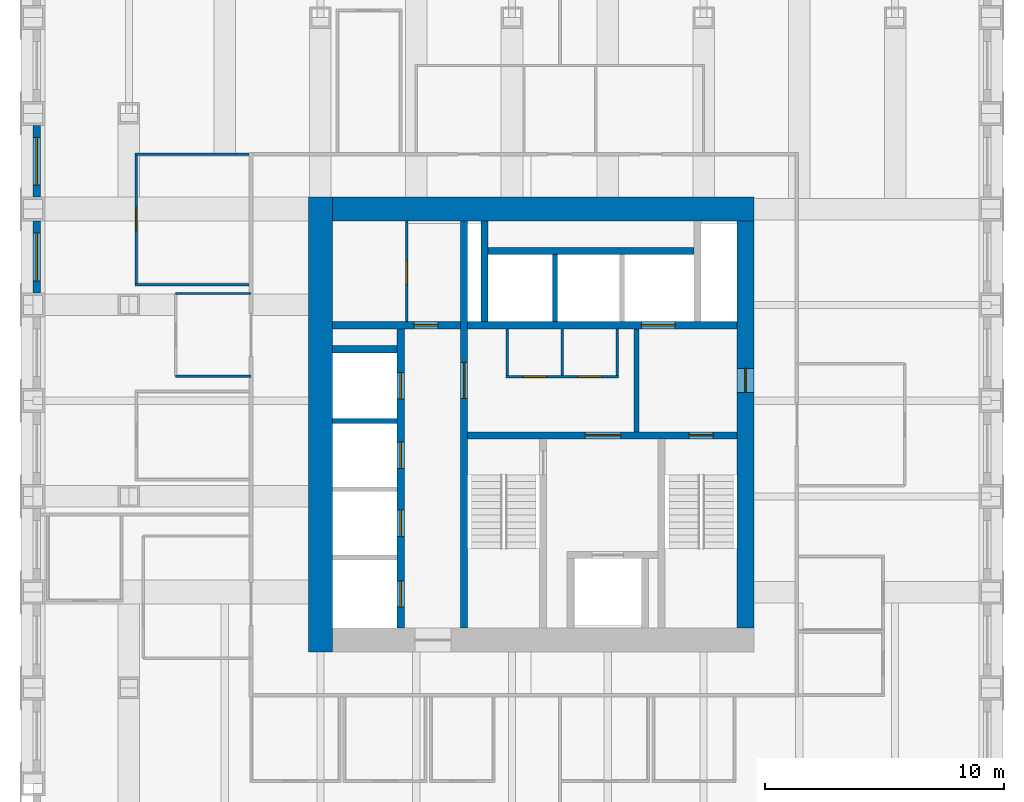
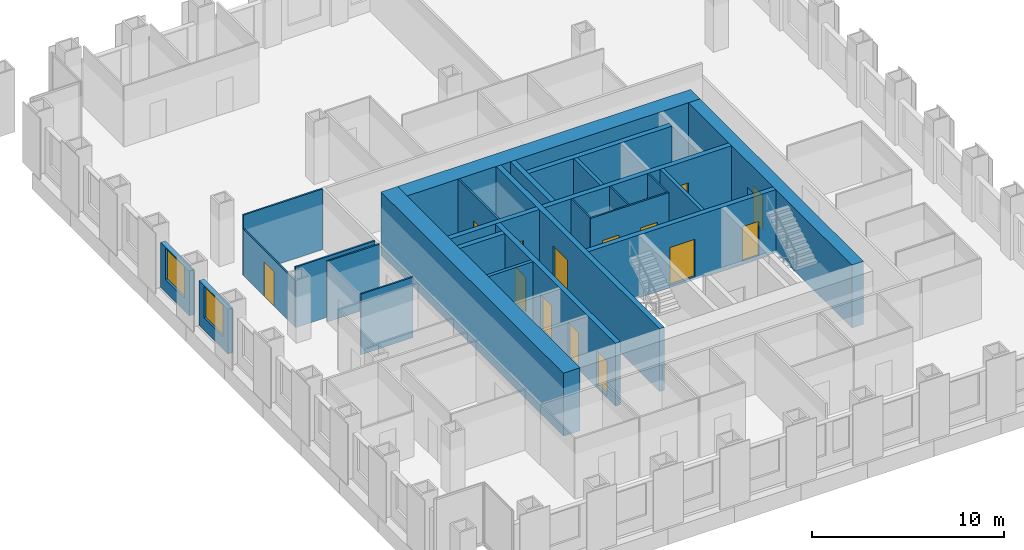
# One storey, part 10 of 14: 26 walls, 14 doors, 2 windows, 16 openings.
"""IFC4 building model written with IfcOpenShell, lengths in metres."""

from ifc_helpers import new_model, si_unit, direction, frame, frame_2d, origin, place, context, subcontext, project, spatial, rectangle, extrude, material, layer, layer_set, type_object, element, fill, save


model = new_model("IFC4")

# Units and contexts
model_context = context("Model", 3, precision=1e-05, world=origin(), true_north=direction((0.0, 1.0)))
body_context = subcontext(model_context, "Body", "Model", "MODEL_VIEW")
ifc_project = project(units=[si_unit("LENGTHUNIT", "METRE"), si_unit("AREAUNIT", "SQUARE_METRE"), si_unit("VOLUMEUNIT", "CUBIC_METRE"), si_unit("PLANEANGLEUNIT", "RADIAN"), si_unit("MASSUNIT", "GRAM", prefix="KILO")], contexts=[model_context])

# Site, building, storey
site_placement = place(None, origin())
site = spatial("IfcSite", under=ifc_project, at=site_placement, CompositionType="ELEMENT")
building_placement = place(site_placement, origin())
building = spatial("IfcBuilding", under=site, at=building_placement, Name="Rimbunsela Tower", CompositionType="ELEMENT")
storey_placement = place(building_placement, frame((0.0, 0.0, 183.800048828125)))
storey = spatial("IfcBuildingStorey", under=building, at=storey_placement, Name="L44", CompositionType="ELEMENT", Elevation=183.800048828125)

# Wall, opening, door
ifc_material_1 = material(Name="Concrete fc' 80 MPa", Category="concrete")
ifc_layer_1 = layer(ifc_material_1, 0.300048828125)
ifc_layer_set_1 = layer_set([ifc_layer_1], Name="Core internal wall 300")
wall_type_1 = type_object("IfcWallType", Name="Core internal wall 300", PredefinedType="SHEAR", material=ifc_layer_set_1)
wall_1_placement = place(storey_placement, frame((24.0, 18.5, -0.150146484375), z_axis=(0.0, 0.0, 1.0), x_axis=(0.0, 1.0, 0.0)))
wall_1 = element("IfcWall", 1, at=wall_1_placement, inside=storey, type_object=wall_type_1, Name="Core wall at stair A", PredefinedType="SHEAR", context=body_context, shape_type="SweptSolid", body=[
    extrude(rectangle(XDim=17.0, YDim=0.300048828125, at=frame_2d((8.5, 0.0))), origin(), (0.0, 0.0, 1.0), 4.0),
])
opening_1_placement = place(wall_1_placement, frame((9.60009765625, 0.0, 0.14990234375)))
opening_1 = element("IfcOpeningElement", 2, at=opening_1_placement, cuts=wall_1, Name="Opening D03", PredefinedType="OPENING", context=body_context, shape_type="SweptSolid", body=[
    extrude(rectangle(XDim=1.5, YDim=2.39990234375, at=frame_2d((0.75, 1.199951171875))), frame((0.0, 0.159912109375, 0.0), z_axis=(0.0, -1.0, 0.0), x_axis=(1.0, 0.0, 0.0)), (0.0, 0.0, 1.0), 0.320068359375),
])
ifc_material_2 = material(Name="Steel door, fire rated", Category="steel")
door_type_1 = type_object("IfcDoorType", Name="Core lobby door 1500", OperationType="DOUBLE_DOOR_DOUBLE_SWING", PredefinedType="DOOR", material=ifc_material_2)
door_1_placement = place(opening_1_placement, origin())
door_1 = element("IfcDoor", 3, at=door_1_placement, inside=storey, type_object=door_type_1, Name="West lobby door", OperationType="DOUBLE_DOOR_DOUBLE_SWING", OverallHeight=2.39990234375, OverallWidth=1.5, PredefinedType="DOOR", context=body_context, shape_type="SweptSolid", body=[
    extrude(rectangle(XDim=1.5, YDim=2.39990234375, at=frame_2d((0.75, 1.199951171875))), frame((0.0, 0.02490234375, 0.0), z_axis=(0.0, -1.0, 0.0), x_axis=(1.0, 0.0, 0.0)), (0.0, 0.0, 1.0), 0.050048828125),
])
fill(opening_1, door_1)

# Wall, openings, doors
wall_2_placement = place(storey_placement, frame((24.14990234375, 26.550048828125, -0.150146484375), z_axis=(0.0, 0.0, 1.0), x_axis=(1.0, 0.0, 0.0)))
wall_2 = element("IfcWall", 4, at=wall_2_placement, inside=storey, type_object=wall_type_1, Name="Core wall lobby south", PredefinedType="SHEAR", context=body_context, shape_type="SweptSolid", body=[
    extrude(rectangle(XDim=11.25, YDim=0.300048828125, at=frame_2d((5.625, 0.0))), origin(), (0.0, 0.0, 1.0), 4.0),
])
opening_2_placement = place(wall_2_placement, frame((9.25, 0.0, 0.14990234375)))
opening_2 = element("IfcOpeningElement", 5, at=opening_2_placement, cuts=wall_2, Name="Opening D01", PredefinedType="OPENING", context=body_context, shape_type="SweptSolid", body=[
    extrude(rectangle(XDim=1.0, YDim=2.199951171875, at=frame_2d((0.5, 1.10009765625))), frame((0.0, 0.159912109375, 0.0), z_axis=(0.0, -1.0, 0.0), x_axis=(1.0, 0.0, 0.0)), (0.0, 0.0, 1.0), 0.320068359375),
])
opening_3_placement = place(wall_2_placement, frame((4.89990234375, 0.0, 0.14990234375)))
opening_3 = element("IfcOpeningElement", 6, at=opening_3_placement, cuts=wall_2, Name="Opening D03", PredefinedType="OPENING", context=body_context, shape_type="SweptSolid", body=[
    extrude(rectangle(XDim=1.5, YDim=2.39990234375, at=frame_2d((0.75, 1.199951171875))), frame((0.0, 0.159912109375, 0.0), z_axis=(0.0, -1.0, 0.0), x_axis=(1.0, 0.0, 0.0)), (0.0, 0.0, 1.0), 0.320068359375),
])
door_2_placement = place(opening_3_placement, origin())
door_2 = element("IfcDoor", 7, at=door_2_placement, inside=storey, type_object=door_type_1, Name="Firefighting lobby door", OperationType="DOUBLE_DOOR_DOUBLE_SWING", OverallHeight=2.39990234375, OverallWidth=1.5, PredefinedType="DOOR", context=body_context, shape_type="SweptSolid", body=[
    extrude(rectangle(XDim=1.5, YDim=2.39990234375, at=frame_2d((0.75, 1.199951171875))), frame((0.0, 0.02490234375, 0.0), z_axis=(0.0, -1.0, 0.0), x_axis=(1.0, 0.0, 0.0)), (0.0, 0.0, 1.0), 0.050048828125),
])
fill(opening_3, door_2)
ifc_material_3 = material(Name="Steel door, fire rated", Category="steel")
door_type_2 = type_object("IfcDoorType", Name="Stair door 1000", OperationType="SINGLE_SWING_RIGHT", PredefinedType="DOOR", material=ifc_material_3)
door_3_placement = place(opening_2_placement, frame((1.0, 0.0, 0.0), z_axis=(0.0, 0.0, 1.0), x_axis=(-1.0, 0.0, 0.0)))
door_3 = element("IfcDoor", 8, at=door_3_placement, inside=storey, type_object=door_type_2, Name="Stair B door", OperationType="SINGLE_SWING_RIGHT", OverallHeight=2.199951171875, OverallWidth=1.0, PredefinedType="DOOR", context=body_context, shape_type="SweptSolid", body=[
    extrude(rectangle(XDim=1.0, YDim=2.199951171875, at=frame_2d((0.5, 1.10009765625))), frame((0.0, 0.02490234375, 0.0), z_axis=(0.0, -1.0, 0.0), x_axis=(1.0, 0.0, 0.0)), (0.0, 0.0, 1.0), 0.050048828125),
])
fill(opening_2, door_3)

# Wall, opening, door
wall_3_placement = place(storey_placement, frame((24.14990234375, 31.14990234375, -0.150146484375), z_axis=(0.0, 0.0, 1.0), x_axis=(1.0, 0.0, 0.0)))
wall_3 = element("IfcWall", 9, at=wall_3_placement, inside=storey, type_object=wall_type_1, Name="Lift shaft front north", PredefinedType="SHEAR", context=body_context, shape_type="SweptSolid", body=[
    extrude(rectangle(XDim=11.25, YDim=0.300048828125, at=frame_2d((5.625, 0.0))), origin(), (0.0, 0.0, 1.0), 4.0),
])
opening_4_placement = place(wall_3_placement, frame((7.25, 0.0, 0.14990234375)))
opening_4 = element("IfcOpeningElement", 10, at=opening_4_placement, cuts=wall_3, Name="Opening LD3", PredefinedType="OPENING", context=body_context, shape_type="SweptSolid", body=[
    extrude(rectangle(XDim=1.39990234375, YDim=2.39990234375, at=frame_2d((0.699951171875, 1.199951171875))), frame((0.0, 0.159912109375, 0.0), z_axis=(0.0, -1.0, 0.0), x_axis=(1.0, 0.0, 0.0)), (0.0, 0.0, 1.0), 0.320068359375),
])
ifc_material_4 = material(Name="Steel door, fire rated", Category="steel")
door_type_3 = type_object("IfcDoorType", Name="Lift landing door 1400", OperationType="DOUBLE_DOOR_SLIDING", PredefinedType="DOOR", material=ifc_material_4)
door_4_placement = place(opening_4_placement, origin())
door_4 = element("IfcDoor", 11, at=door_4_placement, inside=storey, type_object=door_type_3, Name="Lift landing door FL2", OperationType="DOUBLE_DOOR_SLIDING", OverallHeight=2.39990234375, OverallWidth=1.39990234375, PredefinedType="DOOR", context=body_context, shape_type="SweptSolid", body=[
    extrude(rectangle(XDim=1.39990234375, YDim=2.39990234375, at=frame_2d((0.699951171875, 1.199951171875))), frame((0.0, 0.02490234375, 0.0), z_axis=(0.0, -1.0, 0.0), x_axis=(1.0, 0.0, 0.0)), (0.0, 0.0, 1.0), 0.050048828125),
])
fill(opening_4, door_4)

# Wall, openings, doors
wall_4_placement = place(storey_placement, frame((21.35009765625, 18.5, -0.150146484375), z_axis=(0.0, 0.0, 1.0), x_axis=(0.0, 1.0, 0.0)))
wall_4 = element("IfcWall", 12, at=wall_4_placement, inside=storey, type_object=wall_type_1, Name="Lift shaft front west", PredefinedType="SHEAR", context=body_context, shape_type="SweptSolid", body=[
    extrude(rectangle(XDim=12.5, YDim=0.300048828125, at=frame_2d((6.25, 0.0))), origin(), (0.0, 0.0, 1.0), 4.0),
])
opening_5_placement = place(wall_4_placement, frame((0.875, 0.0, 0.14990234375)))
opening_5 = element("IfcOpeningElement", 13, at=opening_5_placement, cuts=wall_4, Name="Opening LD1", PredefinedType="OPENING", context=body_context, shape_type="SweptSolid", body=[
    extrude(rectangle(XDim=1.10009765625, YDim=2.199951171875, at=frame_2d((0.550048828125, 1.10009765625))), frame((0.0, 0.159912109375, 0.0), z_axis=(0.0, -1.0, 0.0), x_axis=(1.0, 0.0, 0.0)), (0.0, 0.0, 1.0), 0.320068359375),
])
opening_6_placement = place(wall_4_placement, frame((3.824951171875, 0.0, 0.14990234375)))
opening_6 = element("IfcOpeningElement", 14, at=opening_6_placement, cuts=wall_4, Name="Opening LD1", PredefinedType="OPENING", context=body_context, shape_type="SweptSolid", body=[
    extrude(rectangle(XDim=1.10009765625, YDim=2.199951171875, at=frame_2d((0.550048828125, 1.10009765625))), frame((0.0, 0.159912109375, 0.0), z_axis=(0.0, -1.0, 0.0), x_axis=(1.0, 0.0, 0.0)), (0.0, 0.0, 1.0), 0.320068359375),
])
opening_7_placement = place(wall_4_placement, frame((6.675048828125, 0.0, 0.14990234375)))
opening_7 = element("IfcOpeningElement", 15, at=opening_7_placement, cuts=wall_4, Name="Opening LD1", PredefinedType="OPENING", context=body_context, shape_type="SweptSolid", body=[
    extrude(rectangle(XDim=1.10009765625, YDim=2.199951171875, at=frame_2d((0.550048828125, 1.10009765625))), frame((0.0, 0.159912109375, 0.0), z_axis=(0.0, -1.0, 0.0), x_axis=(1.0, 0.0, 0.0)), (0.0, 0.0, 1.0), 0.320068359375),
])
opening_8_placement = place(wall_4_placement, frame((9.574951171875, 0.0, 0.14990234375)))
opening_8 = element("IfcOpeningElement", 16, at=opening_8_placement, cuts=wall_4, Name="Opening LD1", PredefinedType="OPENING", context=body_context, shape_type="SweptSolid", body=[
    extrude(rectangle(XDim=1.10009765625, YDim=2.199951171875, at=frame_2d((0.550048828125, 1.10009765625))), frame((0.0, 0.159912109375, 0.0), z_axis=(0.0, -1.0, 0.0), x_axis=(1.0, 0.0, 0.0)), (0.0, 0.0, 1.0), 0.320068359375),
])
ifc_material_5 = material(Name="Steel door, fire rated", Category="steel")
door_type_4 = type_object("IfcDoorType", Name="Lift landing door 1100", OperationType="DOUBLE_DOOR_SLIDING", PredefinedType="DOOR", material=ifc_material_5)
door_5_placement = place(opening_5_placement, origin())
door_5 = element("IfcDoor", 17, at=door_5_placement, inside=storey, type_object=door_type_4, Name="Lift landing door HL1", OperationType="DOUBLE_DOOR_SLIDING", OverallHeight=2.199951171875, OverallWidth=1.10009765625, PredefinedType="DOOR", context=body_context, shape_type="SweptSolid", body=[
    extrude(rectangle(XDim=1.10009765625, YDim=2.199951171875, at=frame_2d((0.550048828125, 1.10009765625))), frame((0.0, 0.02490234375, 0.0), z_axis=(0.0, -1.0, 0.0), x_axis=(1.0, 0.0, 0.0)), (0.0, 0.0, 1.0), 0.050048828125),
])
fill(opening_5, door_5)
door_6_placement = place(opening_6_placement, origin())
door_6 = element("IfcDoor", 18, at=door_6_placement, inside=storey, type_object=door_type_4, Name="Lift landing door HL2", OperationType="DOUBLE_DOOR_SLIDING", OverallHeight=2.199951171875, OverallWidth=1.10009765625, PredefinedType="DOOR", context=body_context, shape_type="SweptSolid", body=[
    extrude(rectangle(XDim=1.10009765625, YDim=2.199951171875, at=frame_2d((0.550048828125, 1.10009765625))), frame((0.0, 0.02490234375, 0.0), z_axis=(0.0, -1.0, 0.0), x_axis=(1.0, 0.0, 0.0)), (0.0, 0.0, 1.0), 0.050048828125),
])
fill(opening_6, door_6)
door_7_placement = place(opening_7_placement, origin())
door_7 = element("IfcDoor", 19, at=door_7_placement, inside=storey, type_object=door_type_4, Name="Lift landing door HL3", OperationType="DOUBLE_DOOR_SLIDING", OverallHeight=2.199951171875, OverallWidth=1.10009765625, PredefinedType="DOOR", context=body_context, shape_type="SweptSolid", body=[
    extrude(rectangle(XDim=1.10009765625, YDim=2.199951171875, at=frame_2d((0.550048828125, 1.10009765625))), frame((0.0, 0.02490234375, 0.0), z_axis=(0.0, -1.0, 0.0), x_axis=(1.0, 0.0, 0.0)), (0.0, 0.0, 1.0), 0.050048828125),
])
fill(opening_7, door_7)
door_8_placement = place(opening_8_placement, origin())
door_8 = element("IfcDoor", 20, at=door_8_placement, inside=storey, type_object=door_type_4, Name="Lift landing door HL4", OperationType="DOUBLE_DOOR_SLIDING", OverallHeight=2.199951171875, OverallWidth=1.10009765625, PredefinedType="DOOR", context=body_context, shape_type="SweptSolid", body=[
    extrude(rectangle(XDim=1.10009765625, YDim=2.199951171875, at=frame_2d((0.550048828125, 1.10009765625))), frame((0.0, 0.02490234375, 0.0), z_axis=(0.0, -1.0, 0.0), x_axis=(1.0, 0.0, 0.0)), (0.0, 0.0, 1.0), 0.050048828125),
])
fill(opening_8, door_8)

# Wall, opening, door
wall_5_placement = place(storey_placement, frame((18.5, 31.14990234375, -0.150146484375), z_axis=(0.0, 0.0, 1.0), x_axis=(1.0, 0.0, 0.0)))
wall_5 = element("IfcWall", 21, at=wall_5_placement, inside=storey, type_object=wall_type_1, Name="Store wall", PredefinedType="SHEAR", context=body_context, shape_type="SweptSolid", body=[
    extrude(rectangle(XDim=5.35009765625, YDim=0.300048828125, at=frame_2d((2.675048828125, 0.0))), origin(), (0.0, 0.0, 1.0), 4.0),
])
opening_9_placement = place(wall_5_placement, frame((3.39990234375, 0.0, 0.14990234375)))
opening_9 = element("IfcOpeningElement", 22, at=opening_9_placement, cuts=wall_5, Name="Opening D19", PredefinedType="OPENING", context=body_context, shape_type="SweptSolid", body=[
    extrude(rectangle(XDim=1.0, YDim=2.199951171875, at=frame_2d((0.5, 1.10009765625))), frame((0.0, 0.159912109375, 0.0), z_axis=(0.0, -1.0, 0.0), x_axis=(1.0, 0.0, 0.0)), (0.0, 0.0, 1.0), 0.320068359375),
])
ifc_material_6 = material(Name="Steel door, fire rated", Category="steel")
door_type_5 = type_object("IfcDoorType", Name="Service door 1000 fire rated", OperationType="SINGLE_SWING_LEFT", PredefinedType="DOOR", material=ifc_material_6)
door_9_placement = place(opening_9_placement, origin())
door_9 = element("IfcDoor", 23, at=door_9_placement, inside=storey, type_object=door_type_5, Name="Staff pantry door", OperationType="SINGLE_SWING_LEFT", OverallHeight=2.199951171875, OverallWidth=1.0, PredefinedType="DOOR", context=body_context, shape_type="SweptSolid", body=[
    extrude(rectangle(XDim=1.0, YDim=2.199951171875, at=frame_2d((0.5, 1.10009765625))), frame((0.0, 0.02490234375, 0.0), z_axis=(0.0, -1.0, 0.0), x_axis=(1.0, 0.0, 0.0)), (0.0, 0.0, 1.0), 0.050048828125),
])
fill(opening_9, door_9)

# Walls
wall_6_placement = place(storey_placement, frame((18.5, 30.14990234375, -0.150146484375), z_axis=(0.0, 0.0, 1.0), x_axis=(1.0, 0.0, 0.0)))
element("IfcWall", 24, at=wall_6_placement, inside=storey, type_object=wall_type_1, Name="Lift shaft rear west", PredefinedType="SHEAR", context=body_context, shape_type="SweptSolid", body=[
    extrude(rectangle(XDim=2.699951171875, YDim=0.300048828125, at=frame_2d((1.35009765625, 0.0))), origin(), (0.0, 0.0, 1.0), 4.0),
])
wall_7_placement = place(storey_placement, frame((24.85009765625, 31.300048828125, -0.150146484375), z_axis=(0.0, 0.0, 1.0), x_axis=(0.0, 1.0, 0.0)))
element("IfcWall", 25, at=wall_7_placement, inside=storey, type_object=wall_type_1, Name="Riser wall", PredefinedType="SHEAR", context=body_context, shape_type="SweptSolid", body=[
    extrude(rectangle(XDim=4.199951171875, YDim=0.300048828125, at=frame_2d((2.10009765625, 0.0))), origin(), (0.0, 0.0, 1.0), 4.0),
])
wall_8_placement = place(storey_placement, frame((25.0, 34.25, -0.150146484375), z_axis=(0.0, 0.0, 1.0), x_axis=(1.0, 0.0, 0.0)))
element("IfcWall", 26, at=wall_8_placement, inside=storey, type_object=wall_type_1, Name="Lift shaft rear north", PredefinedType="SHEAR", context=body_context, shape_type="SweptSolid", body=[
    extrude(rectangle(XDim=8.60009765625, YDim=0.300048828125, at=frame_2d((4.300048828125, 0.0))), origin(), (0.0, 0.0, 1.0), 4.0),
])

# Wall, opening, door
ifc_material_7 = material(Name="Concrete blockwork", Category="masonry")
ifc_layer_2 = layer(ifc_material_7, 0.10009765625)
ifc_layer_set_2 = layer_set([ifc_layer_2], Name="Core room partition 100")
wall_type_2 = type_object("IfcWallType", Name="Core room partition 100", PredefinedType="PARTITIONING", material=ifc_layer_set_2)
wall_9_placement = place(storey_placement, frame((21.60009765625, 31.300048828125, 0.0), z_axis=(0.0, 0.0, 1.0), x_axis=(0.0, 1.0, 0.0)))
wall_9 = element("IfcWall", 27, at=wall_9_placement, inside=storey, type_object=wall_type_2, Name="Equipment store wall", PredefinedType="PARTITIONING", context=body_context, shape_type="SweptSolid", body=[
    extrude(rectangle(XDim=4.199951171875, YDim=0.10009765625, at=frame_2d((2.10009765625, 0.0))), origin(), (0.0, 0.0, 1.0), 3.849853515625),
])
opening_10_placement = place(wall_9_placement, frame((1.550048828125, 0.0, 0.0)))
opening_10 = element("IfcOpeningElement", 28, at=opening_10_placement, cuts=wall_9, Name="Opening D19", PredefinedType="OPENING", context=body_context, shape_type="SweptSolid", body=[
    extrude(rectangle(XDim=1.0, YDim=2.199951171875, at=frame_2d((0.5, 1.10009765625))), frame((0.0, 0.06005859375, 0.0), z_axis=(0.0, -1.0, 0.0), x_axis=(1.0, 0.0, 0.0)), (0.0, 0.0, 1.0), 0.1201171875),
])
door_10_placement = place(opening_10_placement, origin())
door_10 = element("IfcDoor", 29, at=door_10_placement, inside=storey, type_object=door_type_5, Name="Equipment store door", OperationType="SINGLE_SWING_LEFT", OverallHeight=2.199951171875, OverallWidth=1.0, PredefinedType="DOOR", context=body_context, shape_type="SweptSolid", body=[
    extrude(rectangle(XDim=1.0, YDim=2.199951171875, at=frame_2d((0.5, 1.10009765625))), frame((0.0, 0.02490234375, 0.0), z_axis=(0.0, -1.0, 0.0), x_axis=(1.0, 0.0, 0.0)), (0.0, 0.0, 1.0), 0.050048828125),
])
fill(opening_10, door_10)

# Wall, openings, doors
wall_10_placement = place(storey_placement, frame((25.75, 29.0, 0.0), z_axis=(0.0, 0.0, 1.0), x_axis=(1.0, 0.0, 0.0)))
wall_10 = element("IfcWall", 30, at=wall_10_placement, inside=storey, type_object=wall_type_2, Name="Lobby room wall", PredefinedType="PARTITIONING", context=body_context, shape_type="SweptSolid", body=[
    extrude(rectangle(XDim=4.699951171875, YDim=0.10009765625, at=frame_2d((2.35009765625, 0.0))), origin(), (0.0, 0.0, 1.0), 3.849853515625),
])
opening_11_placement = place(wall_10_placement, frame((0.699951171875, 0.0, 0.0)))
opening_11 = element("IfcOpeningElement", 31, at=opening_11_placement, cuts=wall_10, Name="Opening D19", PredefinedType="OPENING", context=body_context, shape_type="SweptSolid", body=[
    extrude(rectangle(XDim=1.0, YDim=2.199951171875, at=frame_2d((0.5, 1.10009765625))), frame((0.0, 0.06005859375, 0.0), z_axis=(0.0, -1.0, 0.0), x_axis=(1.0, 0.0, 0.0)), (0.0, 0.0, 1.0), 0.1201171875),
])
opening_12_placement = place(wall_10_placement, frame((3.0, 0.0, 0.0)))
opening_12 = element("IfcOpeningElement", 32, at=opening_12_placement, cuts=wall_10, Name="Opening D19", PredefinedType="OPENING", context=body_context, shape_type="SweptSolid", body=[
    extrude(rectangle(XDim=1.0, YDim=2.199951171875, at=frame_2d((0.5, 1.10009765625))), frame((0.0, 0.06005859375, 0.0), z_axis=(0.0, -1.0, 0.0), x_axis=(1.0, 0.0, 0.0)), (0.0, 0.0, 1.0), 0.1201171875),
])
door_11_placement = place(opening_11_placement, origin())
door_11 = element("IfcDoor", 33, at=door_11_placement, inside=storey, type_object=door_type_5, Name="Staff WC door", OperationType="SINGLE_SWING_LEFT", OverallHeight=2.199951171875, OverallWidth=1.0, PredefinedType="DOOR", context=body_context, shape_type="SweptSolid", body=[
    extrude(rectangle(XDim=1.0, YDim=2.199951171875, at=frame_2d((0.5, 1.10009765625))), frame((0.0, 0.02490234375, 0.0), z_axis=(0.0, -1.0, 0.0), x_axis=(1.0, 0.0, 0.0)), (0.0, 0.0, 1.0), 0.050048828125),
])
fill(opening_11, door_11)
door_12_placement = place(opening_12_placement, origin())
door_12 = element("IfcDoor", 34, at=door_12_placement, inside=storey, type_object=door_type_5, Name="Cleaners store door", OperationType="SINGLE_SWING_LEFT", OverallHeight=2.199951171875, OverallWidth=1.0, PredefinedType="DOOR", context=body_context, shape_type="SweptSolid", body=[
    extrude(rectangle(XDim=1.0, YDim=2.199951171875, at=frame_2d((0.5, 1.10009765625))), frame((0.0, 0.02490234375, 0.0), z_axis=(0.0, -1.0, 0.0), x_axis=(1.0, 0.0, 0.0)), (0.0, 0.0, 1.0), 0.050048828125),
])
fill(opening_12, door_12)

# Walls
for number, where, z_axis, x_axis, name in (
    (35, (25.800048828125, 29.050048828125, 0.0), (0.0, 0.0, 1.0), (0.0, 1.0, 0.0), "Lobby room wall"),
    (36, (30.39990234375, 29.050048828125, 0.0), (0.0, 0.0, 1.0), (0.0, 1.0, 0.0), "Lobby room wall"),
    (37, (28.10009765625, 29.050048828125, 0.0), (0.0, 0.0, 1.0), (0.0, 1.0, 0.0), "Lobby room wall"),
):
    element("IfcWall", number, at=place(storey_placement, frame(where, z_axis=z_axis, x_axis=x_axis)), inside=storey, type_object=wall_type_2, Name=name, PredefinedType="PARTITIONING", context=body_context, shape_type="SweptSolid", body=[
        extrude(rectangle(XDim=1.949951171875, YDim=0.10009765625, at=frame_2d((0.97509765625, 0.0))), origin(), (0.0, 0.0, 1.0), 3.849853515625),
    ])
ifc_material_8 = material(Name="Concrete fc' 80 MPa", Category="concrete")
ifc_layer_3 = layer(ifc_material_8, 1.0)
ifc_layer_set_3 = layer_set([ifc_layer_3], Name="Core wall 1000")
wall_type_3 = type_object("IfcWallType", Name="Core wall 1000", PredefinedType="SHEAR", material=ifc_layer_set_3)
wall_11_placement = place(storey_placement, frame((18.0, 17.5, -0.150146484375), z_axis=(0.0, 0.0, 1.0), x_axis=(0.0, 1.0, 0.0)))
element("IfcWall", 38, at=wall_11_placement, inside=storey, type_object=wall_type_3, Name="Core wall west", PredefinedType="SHEAR", context=body_context, shape_type="SweptSolid", body=[
    extrude(rectangle(XDim=19.0, YDim=1.0, at=frame_2d((9.5, 0.0))), origin(), (0.0, 0.0, 1.0), 4.0),
])
wall_12_placement = place(storey_placement, frame((18.5, 36.0, -0.150146484375), z_axis=(0.0, 0.0, 1.0), x_axis=(1.0, 0.0, 0.0)))
element("IfcWall", 39, at=wall_12_placement, inside=storey, type_object=wall_type_3, Name="Core wall north", PredefinedType="SHEAR", context=body_context, shape_type="SweptSolid", body=[
    extrude(rectangle(XDim=17.60009765625, YDim=1.0, at=frame_2d((8.800048828125, 0.0))), origin(), (0.0, 0.0, 1.0), 4.0),
])

# Wall, opening, door
ifc_material_9 = material(Name="Concrete fc' 80 MPa", Category="concrete")
ifc_layer_4 = layer(ifc_material_9, 0.699951171875)
ifc_layer_set_4 = layer_set([ifc_layer_4], Name="Core wall 700 east")
wall_type_4 = type_object("IfcWallType", Name="Core wall 700 east", PredefinedType="SHEAR", material=ifc_layer_set_4)
wall_13_placement = place(storey_placement, frame((35.75, 18.5, -0.150146484375), z_axis=(0.0, 0.0, 1.0), x_axis=(0.0, 1.0, 0.0)))
wall_13 = element("IfcWall", 40, at=wall_13_placement, inside=storey, type_object=wall_type_4, Name="Core wall east", PredefinedType="SHEAR", context=body_context, shape_type="SweptSolid", body=[
    extrude(rectangle(XDim=17.0, YDim=0.699951171875, at=frame_2d((8.5, 0.0))), origin(), (0.0, 0.0, 1.0), 4.0),
])
opening_13_placement = place(wall_13_placement, frame((9.85009765625, 0.0, 0.14990234375)))
opening_13 = element("IfcOpeningElement", 41, at=opening_13_placement, cuts=wall_13, Name="Opening D01", PredefinedType="OPENING", context=body_context, shape_type="SweptSolid", body=[
    extrude(rectangle(XDim=1.0, YDim=2.199951171875, at=frame_2d((0.5, 1.10009765625))), frame((0.0, 0.35986328125, 0.0), z_axis=(0.0, -1.0, 0.0), x_axis=(1.0, 0.0, 0.0)), (0.0, 0.0, 1.0), 0.719970703125),
])
door_13_placement = place(opening_13_placement, origin())
door_13 = element("IfcDoor", 42, at=door_13_placement, inside=storey, type_object=door_type_2, Name="Firefighting lobby 2 door", OperationType="SINGLE_SWING_RIGHT", OverallHeight=2.199951171875, OverallWidth=1.0, PredefinedType="DOOR", context=body_context, shape_type="SweptSolid", body=[
    extrude(rectangle(XDim=1.0, YDim=2.199951171875, at=frame_2d((0.5, 1.10009765625))), frame((0.0, 0.02490234375, 0.0), z_axis=(0.0, -1.0, 0.0), x_axis=(1.0, 0.0, 0.0)), (0.0, 0.0, 1.0), 0.050048828125),
])
fill(opening_13, door_13)

# Walls
ifc_material_10 = material(Name="Concrete blockwork", Category="masonry")
ifc_layer_5 = layer(ifc_material_10, 0.199951171875)
ifc_layer_set_5 = layer_set([ifc_layer_5], Name="Lift shaft wall 200")
wall_type_5 = type_object("IfcWallType", Name="Lift shaft wall 200", PredefinedType="SOLIDWALL", material=ifc_layer_set_5)
wall_14_placement = place(storey_placement, frame((27.800048828125, 31.300048828125, -0.150146484375), z_axis=(0.0, 0.0, 1.0), x_axis=(0.0, 1.0, 0.0)))
element("IfcWall", 43, at=wall_14_placement, inside=storey, type_object=wall_type_5, Name="Lift shaft separation", PredefinedType="SOLIDWALL", context=body_context, shape_type="SweptSolid", body=[
    extrude(rectangle(XDim=2.800048828125, YDim=0.199951171875, at=frame_2d((1.39990234375, 0.0))), origin(), (0.0, 0.0, 1.0), 4.0),
])
wall_15_placement = place(storey_placement, frame((18.5, 27.14990234375, -0.150146484375), z_axis=(0.0, 0.0, 1.0), x_axis=(1.0, 0.0, 0.0)))
element("IfcWall", 44, at=wall_15_placement, inside=storey, type_object=wall_type_5, Name="Lift shaft separation", PredefinedType="SOLIDWALL", context=body_context, shape_type="SweptSolid", body=[
    extrude(rectangle(XDim=2.699951171875, YDim=0.199951171875, at=frame_2d((1.35009765625, 0.0))), origin(), (0.0, 0.0, 1.0), 4.0),
])
wall_16_placement = place(storey_placement, frame((31.199951171875, 26.699951171875, 0.0), z_axis=(0.0, 0.0, 1.0), x_axis=(0.0, 1.0, 0.0)))
element("IfcWall", 45, at=wall_16_placement, inside=storey, type_object=wall_type_5, Name="Firefighting lobby 2 wall", PredefinedType="SOLIDWALL", context=body_context, shape_type="SweptSolid", body=[
    extrude(rectangle(XDim=4.300048828125, YDim=0.199951171875, at=frame_2d((2.14990234375, 0.0))), origin(), (0.0, 0.0, 1.0), 3.849853515625),
])
ifc_material_11 = material(Name="Gypsum board on steel studs", Category="steel")
ifc_layer_6 = layer(ifc_material_11, 0.10009765625)
ifc_layer_set_6 = layer_set([ifc_layer_6], Name="Office partition 100")
wall_type_6 = type_object("IfcWallType", Name="Office partition 100", PredefinedType="PARTITIONING", material=ifc_layer_set_6)
for number, where, z_axis, x_axis, name in (
    (46, (10.25, 32.85009765625, 0.0), (0.0, 0.0, 1.0), (1.0, 0.0, 0.0), "Office partition"),
    (47, (10.25, 38.300048828125, 0.0), (0.0, 0.0, 1.0), (1.0, 0.0, 0.0), "Office partition"),
):
    element("IfcWall", number, at=place(storey_placement, frame(where, z_axis=z_axis, x_axis=x_axis)), inside=storey, type_object=wall_type_6, Name=name, PredefinedType="PARTITIONING", context=body_context, shape_type="SweptSolid", body=[
        extrude(rectangle(XDim=4.77490234375, YDim=0.10009765625, at=frame_2d((2.387451171875, 0.0))), origin(), (0.0, 0.0, 1.0), 3.849853515625),
    ])

# Wall, opening, door
wall_17_placement = place(storey_placement, frame((10.300048828125, 32.89990234375, 0.0), z_axis=(0.0, 0.0, 1.0), x_axis=(0.0, 1.0, 0.0)))
wall_17 = element("IfcWall", 48, at=wall_17_placement, inside=storey, type_object=wall_type_6, Name="Office partition", PredefinedType="PARTITIONING", context=body_context, shape_type="SweptSolid", body=[
    extrude(rectangle(XDim=5.35009765625, YDim=0.10009765625, at=frame_2d((2.675048828125, 0.0))), origin(), (0.0, 0.0, 1.0), 2.949951171875),
])
opening_14_placement = place(wall_17_placement, frame((2.175048828125, 0.0, 0.0)))
opening_14 = element("IfcOpeningElement", 49, at=opening_14_placement, cuts=wall_17, Name="Opening D16", PredefinedType="OPENING", context=body_context, shape_type="SweptSolid", body=[
    extrude(rectangle(XDim=1.0, YDim=2.199951171875, at=frame_2d((0.5, 1.10009765625))), frame((0.0, 0.06005859375, 0.0), z_axis=(0.0, -1.0, 0.0), x_axis=(1.0, 0.0, 0.0)), (0.0, 0.0, 1.0), 0.1201171875),
])
ifc_material_12 = material(Name="Timber door", Category="wood")
door_type_6 = type_object("IfcDoorType", Name="Office door 1000", OperationType="SINGLE_SWING_LEFT", PredefinedType="DOOR", material=ifc_material_12)
door_14_placement = place(opening_14_placement, origin())
door_14 = element("IfcDoor", 50, at=door_14_placement, inside=storey, type_object=door_type_6, Name="Office door", OperationType="SINGLE_SWING_LEFT", OverallHeight=2.199951171875, OverallWidth=1.0, PredefinedType="DOOR", context=body_context, shape_type="SweptSolid", body=[
    extrude(rectangle(XDim=1.0, YDim=2.199951171875, at=frame_2d((0.5, 1.10009765625))), frame((0.0, 0.02490234375, 0.0), z_axis=(0.0, -1.0, 0.0), x_axis=(1.0, 0.0, 0.0)), (0.0, 0.0, 1.0), 0.050048828125),
])
fill(opening_14, door_14)

# Walls
for number, where, z_axis, x_axis, name in (
    (51, (15.10009765625, 32.47509765625, 0.0), (0.0, 0.0, 1.0), (-1.0, 0.0, 0.0), "Office partition"),
    (52, (11.949951171875, 29.02490234375, 0.0), (0.0, 0.0, 1.0), (1.0, 0.0, 0.0), "Office partition"),
):
    element("IfcWall", number, at=place(storey_placement, frame(where, z_axis=z_axis, x_axis=x_axis)), inside=storey, type_object=wall_type_6, Name=name, PredefinedType="PARTITIONING", context=body_context, shape_type="SweptSolid", body=[
        extrude(rectangle(XDim=3.150146484375, YDim=0.10009765625, at=frame_2d((1.5751953125, 0.0))), origin(), (0.0, 0.0, 1.0), 3.849853515625),
    ])

# Wall, opening, window
ifc_material_13 = material(Name="Precast concrete fc' 35 MPa", Category="concrete")
ifc_layer_7 = layer(ifc_material_13, 0.300048828125)
ifc_layer_set_7 = layer_set([ifc_layer_7], Name="Precast concrete fc' 35 MPa")
wall_type_7 = type_object("IfcWallType", Name="Precast facade panel 300", PredefinedType="ELEMENTEDWALL", material=ifc_layer_set_7)
wall_18_placement = place(storey_placement, frame((6.14990234375, 35.5, 0.0), z_axis=(0.0, 0.0, 1.0), x_axis=(0.0, -1.0, 0.0)))
wall_18 = element("IfcWall", 53, at=wall_18_placement, inside=storey, type_object=wall_type_7, Name="Facade panel W L44", PredefinedType="ELEMENTEDWALL", context=body_context, shape_type="SweptSolid", body=[
    extrude(rectangle(XDim=3.0, YDim=0.300048828125, at=frame_2d((1.5, 0.0))), origin(), (0.0, 0.0, 1.0), 2.849853515625),
])
opening_15_placement = place(wall_18_placement, frame((0.5, 0.0, 0.800048828125)))
opening_15 = element("IfcOpeningElement", 54, at=opening_15_placement, cuts=wall_18, Name="Opening W1", PredefinedType="OPENING", context=body_context, shape_type="SweptSolid", body=[
    extrude(rectangle(XDim=2.0, YDim=2.0, at=frame_2d((1.0, 1.0))), frame((0.0, 0.159912109375, 0.0), z_axis=(0.0, -1.0, 0.0), x_axis=(1.0, 0.0, 0.0)), (0.0, 0.0, 1.0), 0.320068359375),
])
ifc_material_14 = material(Name="Clear glass in aluminium frame", Category="aluminium")
window_type = type_object("IfcWindowType", Name="Window W1 2000x2000", PartitioningType="DOUBLE_PANEL_VERTICAL", PredefinedType="WINDOW", material=ifc_material_14)
window_1_placement = place(opening_15_placement, origin())
window_1 = element("IfcWindow", 55, at=window_1_placement, inside=storey, type_object=window_type, Name="Window L44", OverallHeight=2.0, OverallWidth=2.0, PartitioningType="SINGLE_PANEL", PredefinedType="WINDOW", context=body_context, shape_type="SweptSolid", body=[
    extrude(rectangle(XDim=2.0, YDim=2.0, at=frame_2d((1.0, 1.0))), frame((0.0, 0.030029296875, 0.0), z_axis=(0.0, -1.0, 0.0), x_axis=(1.0, 0.0, 0.0)), (0.0, 0.0, 1.0), 0.06005859375),
])
fill(opening_15, window_1)

wall_19_placement = place(storey_placement, frame((6.14990234375, 39.5, 0.0), z_axis=(0.0, 0.0, 1.0), x_axis=(0.0, -1.0, 0.0)))
wall_19 = element("IfcWall", 56, at=wall_19_placement, inside=storey, type_object=wall_type_7, Name="Facade panel W L44", PredefinedType="ELEMENTEDWALL", context=body_context, shape_type="SweptSolid", body=[
    extrude(rectangle(XDim=3.0, YDim=0.300048828125, at=frame_2d((1.5, 0.0))), origin(), (0.0, 0.0, 1.0), 2.849853515625),
])
opening_16_placement = place(wall_19_placement, frame((0.5, 0.0, 0.800048828125)))
opening_16 = element("IfcOpeningElement", 57, at=opening_16_placement, cuts=wall_19, Name="Opening W1", PredefinedType="OPENING", context=body_context, shape_type="SweptSolid", body=[
    extrude(rectangle(XDim=2.0, YDim=2.0, at=frame_2d((1.0, 1.0))), frame((0.0, 0.159912109375, 0.0), z_axis=(0.0, -1.0, 0.0), x_axis=(1.0, 0.0, 0.0)), (0.0, 0.0, 1.0), 0.320068359375),
])
window_2_placement = place(opening_16_placement, origin())
window_2 = element("IfcWindow", 58, at=window_2_placement, inside=storey, type_object=window_type, Name="Window L44", OverallHeight=2.0, OverallWidth=2.0, PartitioningType="SINGLE_PANEL", PredefinedType="WINDOW", context=body_context, shape_type="SweptSolid", body=[
    extrude(rectangle(XDim=2.0, YDim=2.0, at=frame_2d((1.0, 1.0))), frame((0.0, 0.030029296875, 0.0), z_axis=(0.0, -1.0, 0.0), x_axis=(1.0, 0.0, 0.0)), (0.0, 0.0, 1.0), 0.06005859375),
])
fill(opening_16, window_2)

save(model, "model.ifc")
